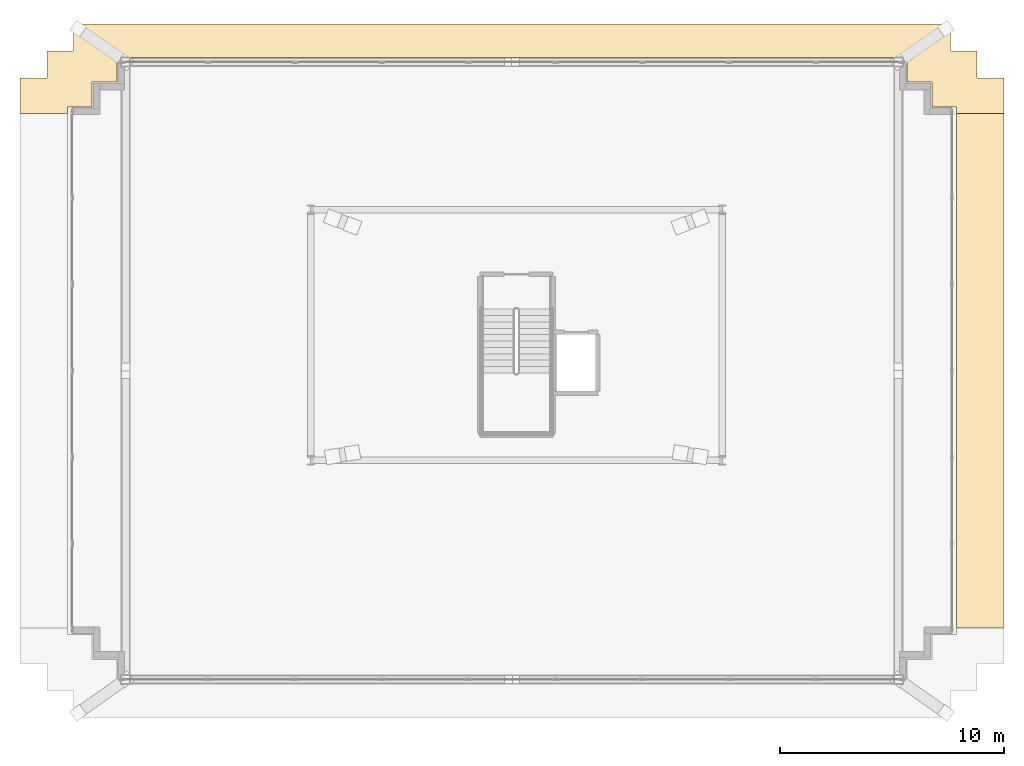
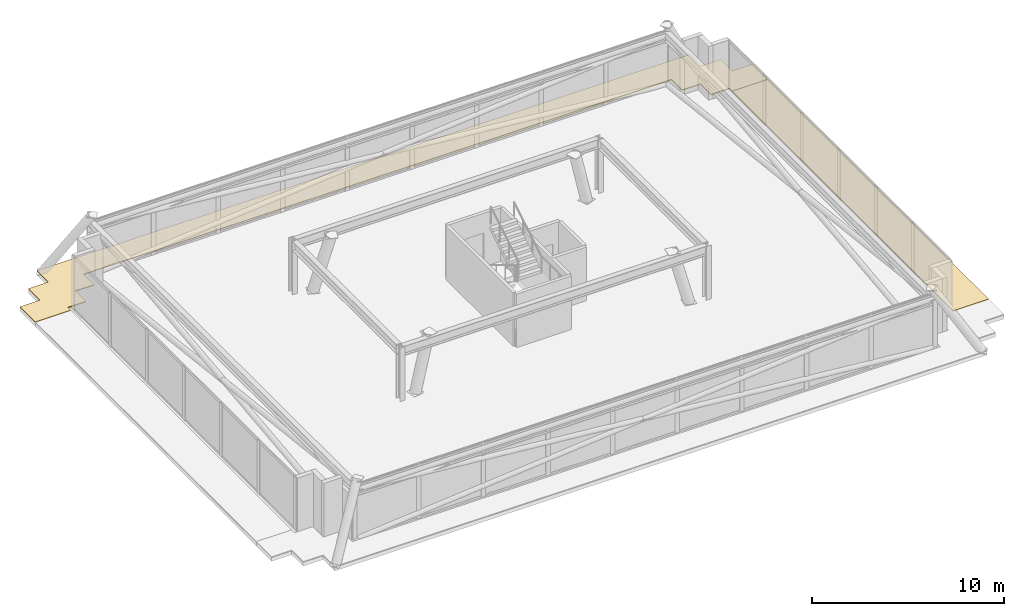
# One storey, part 22 of 22: 2 coverings.
"""IFC4 building model written with IfcOpenShell, lengths in metres."""

from ifc_helpers import new_model, si_unit, direction, frame, origin, place, context, subcontext, project, spatial, polyline, outline, extrude, material, layer, layer_set, type_object, element, save


model = new_model("IFC4")

# Units and contexts
model_context = context("Model", 3, precision=1e-05, world=origin(), true_north=direction((0.0, 1.0)))
body_context = subcontext(model_context, "Body", "Model", "MODEL_VIEW")
ifc_project = project(units=[si_unit("LENGTHUNIT", "METRE"), si_unit("AREAUNIT", "SQUARE_METRE"), si_unit("VOLUMEUNIT", "CUBIC_METRE"), si_unit("PLANEANGLEUNIT", "RADIAN"), si_unit("MASSUNIT", "GRAM", prefix="KILO")], contexts=[model_context])

# Site, building, storey
site_placement = place(None, origin())
site = spatial("IfcSite", under=ifc_project, at=site_placement, CompositionType="ELEMENT")
building_placement = place(site_placement, origin())
building = spatial("IfcBuilding", under=site, at=building_placement, Name="Qobustan Lattice House", CompositionType="ELEMENT")
storey_placement = place(building_placement, frame((0.0, 0.0, 274.0)))
storey = spatial("IfcBuildingStorey", under=building, at=storey_placement, Name="L77", CompositionType="ELEMENT", Elevation=274.0)

# Coverings
ifc_material = material(Name="Insulated stone-ballasted roof membrane", Category="masonry")
ifc_layer = layer(ifc_material, 0.050048828125)
ifc_layer_set = layer_set([ifc_layer], Name="Insulated stone-ballasted roof membrane")
covering_type = type_object("IfcCoveringType", Name="COV-ROOF-MEMB", PredefinedType="ROOFING", material=ifc_layer_set)
covering_1_placement = place(storey_placement, origin())
element("IfcCovering", 1, at=covering_1_placement, inside=storey, type_object=covering_type, Name="L77 crown step roof membrane 2", PredefinedType="ROOFING", context=body_context, shape_type="SweptSolid", body=[
    extrude(outline(polyline([(-22.199951171875, 9.901611328125), (-20.073486328125, 9.901611328125), (-20.073486328125, 10.201416015625), (-18.973388671875, 10.201416015625), (-18.973388671875, 11.301513671875), (-17.87353515625, 11.301513671875), (-17.87353515625, 12.401611328125), (17.473388671875, 12.401611328125), (17.473388671875, 11.301513671875), (18.573486328125, 11.301513671875), (18.573486328125, 10.201416015625), (19.673583984375, 10.201416015625), (19.673583984375, 9.901611328125), (21.800048828125, 9.901611328125), (21.800048828125, 11.5), (20.60009765625, 11.5), (20.60009765625, 12.699951171875), (19.39990234375, 12.699951171875), (19.39990234375, 13.89990234375), (-19.800048828125, 13.89990234375), (-19.800048828125, 12.699951171875), (-21.0, 12.699951171875), (-21.0, 11.5), (-22.199951171875, 11.5), (-22.199951171875, 9.901611328125)])), origin(), (0.0, 0.0, 1.0), 0.050048828125),
])
covering_2_placement = place(storey_placement, origin())
element("IfcCovering", 2, at=covering_2_placement, inside=storey, type_object=covering_type, Name="L77 crown step roof membrane 4", PredefinedType="ROOFING", context=body_context, shape_type="SweptSolid", body=[
    extrude(outline(polyline([(21.800048828125, 9.901611328125), (19.673583984375, 9.901611328125), (19.673583984375, -13.1015625), (21.800048828125, -13.1015625), (21.800048828125, 9.901611328125)])), origin(), (0.0, 0.0, 1.0), 0.050048828125),
])

save(model, "model.ifc")
